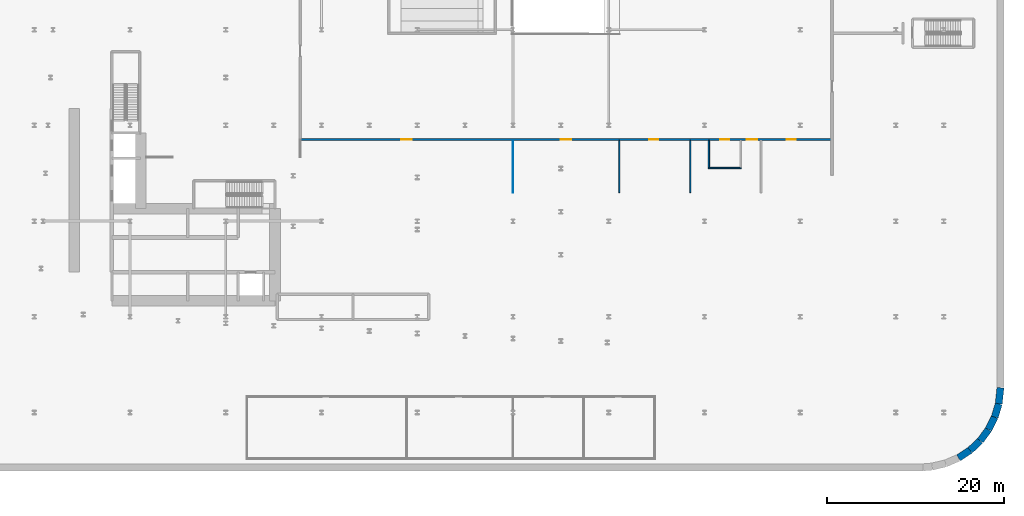
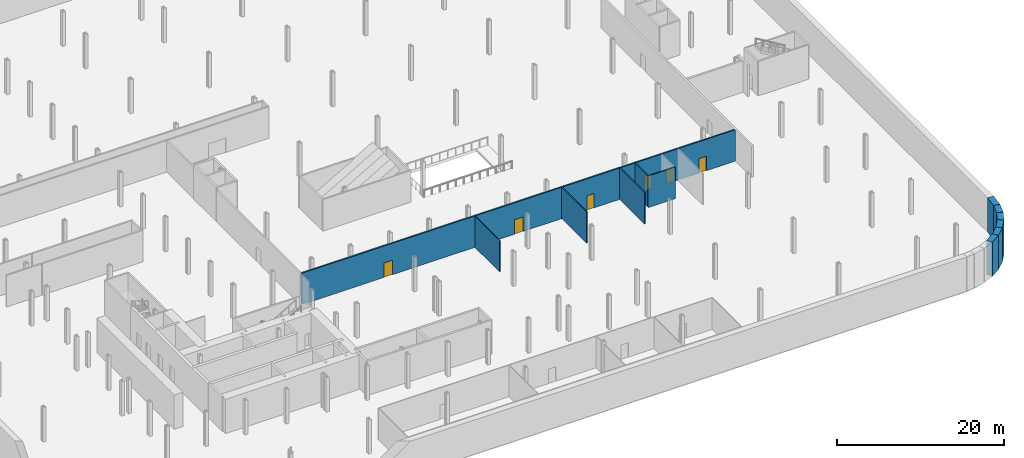
# One storey, part 12 of 19: 12 walls, 6 doors, 6 openings.
"""IFC4 building model written with IfcOpenShell, lengths in metres."""

from ifc_helpers import new_model, si_unit, direction, frame, frame_2d, origin, place, context, subcontext, project, spatial, rectangle, extrude, source, transform, mapped, material, layer, layer_set, type_object, element, fill, save


model = new_model("IFC4")

# Units and contexts
model_context = context("Model", 3, precision=1e-05, world=origin(), true_north=direction((0.0, 1.0)))
body_context = subcontext(model_context, "Body", "Model", "MODEL_VIEW")
ifc_project = project(units=[si_unit("LENGTHUNIT", "METRE"), si_unit("AREAUNIT", "SQUARE_METRE"), si_unit("VOLUMEUNIT", "CUBIC_METRE"), si_unit("PLANEANGLEUNIT", "RADIAN"), si_unit("MASSUNIT", "GRAM", prefix="KILO")], contexts=[model_context])

# Site, building, storey
site_placement = place(None, origin())
site = spatial("IfcSite", under=ifc_project, at=site_placement, CompositionType="ELEMENT")
building_placement = place(site_placement, origin())
building = spatial("IfcBuilding", under=site, at=building_placement, Name="Kheshtan School and Residences Tower", CompositionType="ELEMENT")
storey_placement = place(building_placement, frame((0.0, 0.0, -5.0)))
storey = spatial("IfcBuildingStorey", under=building, at=storey_placement, Name="B1", CompositionType="ELEMENT", Elevation=-5.0)

# Walls
ifc_material_1 = material(Name="Concrete C35/45", Category="concrete")
ifc_layer_1 = layer(ifc_material_1, 0.800048828125)
ifc_layer_set_1 = layer_set([ifc_layer_1], Name="Basement wall 800 Concrete C35/45")
wall_type_1 = type_object("IfcWallType", Name="Basement wall 800 Concrete C35/45", PredefinedType="SOLIDWALL", material=ifc_layer_set_1)
wall_1_placement = place(storey_placement, frame((135.0, 16.0, 0.0), z_axis=(0.0, 0.0, 1.0), x_axis=(-0.105567043429, -0.994412187849, 0.0)))
element("IfcWall", 1, at=wall_1_placement, inside=storey, type_object=wall_type_1, Name="Secant pile wall 21", PredefinedType="SOLIDWALL", context=body_context, shape_type="SweptSolid", body=[
    extrude(rectangle(XDim=1.829345703125, YDim=0.800048828125, at=frame_2d((0.91455078125, 0.0))), origin(), (0.0, 0.0, 1.0), 5.0),
])
wall_2_placement = place(storey_placement, frame((134.806884765625, 14.180908203125, 0.0), z_axis=(0.0, 0.0, 1.0), x_axis=(-0.287147763375, -0.957886299092, 0.0)))
element("IfcWall", 2, at=wall_2_placement, inside=storey, type_object=wall_type_1, Name="Secant pile wall 22", PredefinedType="SOLIDWALL", context=body_context, shape_type="SweptSolid", body=[
    extrude(rectangle(XDim=1.56689453125, YDim=0.800048828125, at=frame_2d((0.783447265625, 0.0))), origin(), (0.0, 0.0, 1.0), 5.0),
])
wall_3_placement = place(storey_placement, frame((134.35693359375, 12.679931640625, 0.0), z_axis=(0.0, 0.0, 1.0), x_axis=(-0.448459314462, -0.893803246399, 0.0)))
element("IfcWall", 3, at=wall_3_placement, inside=storey, type_object=wall_type_1, Name="Secant pile wall 23", PredefinedType="SOLIDWALL", context=body_context, shape_type="SweptSolid", body=[
    extrude(rectangle(XDim=1.5673828125, YDim=0.800048828125, at=frame_2d((0.78369140625, 0.0))), origin(), (0.0, 0.0, 1.0), 5.0),
])
wall_4_placement = place(storey_placement, frame((133.654052734375, 11.279052734375, 0.0), z_axis=(0.0, 0.0, 1.0), x_axis=(-0.597630520512, -0.801771638905, 0.0)))
element("IfcWall", 4, at=wall_4_placement, inside=storey, type_object=wall_type_1, Name="Secant pile wall 24", PredefinedType="SOLIDWALL", context=body_context, shape_type="SweptSolid", body=[
    extrude(rectangle(XDim=1.56787109375, YDim=0.800048828125, at=frame_2d((0.783935546875, 0.0))), origin(), (0.0, 0.0, 1.0), 5.0),
])
wall_5_placement = place(storey_placement, frame((132.717041015625, 10.02197265625, 0.0), z_axis=(0.0, 0.0, 1.0), x_axis=(-0.726995868662, -0.686641833089, 0.0)))
element("IfcWall", 5, at=wall_5_placement, inside=storey, type_object=wall_type_1, Name="Secant pile wall 25", PredefinedType="SOLIDWALL", context=body_context, shape_type="SweptSolid", body=[
    extrude(rectangle(XDim=1.56689453125, YDim=0.800048828125, at=frame_2d((0.783447265625, 0.0))), origin(), (0.0, 0.0, 1.0), 5.0),
])
wall_6_placement = place(storey_placement, frame((131.577880859375, 8.946044921875, 0.0), z_axis=(0.0, 0.0, 1.0), x_axis=(-0.835603348101, -0.549333272834, 0.0)))
element("IfcWall", 6, at=wall_6_placement, inside=storey, type_object=wall_type_1, Name="Secant pile wall 26", PredefinedType="SOLIDWALL", context=body_context, shape_type="SweptSolid", body=[
    extrude(rectangle(XDim=1.567626953125, YDim=0.800048828125, at=frame_2d((0.78369140625, 0.0))), origin(), (0.0, 0.0, 1.0), 5.0),
])

# Wall, openings, doors
ifc_material_2 = material(Name="Gypsum board on steel studs with fire boards", Category="steel")
ifc_layer_2 = layer(ifc_material_2, 0.199951171875)
ifc_layer_set_2 = layer_set([ifc_layer_2], Name="Corridor wall 200")
wall_type_2 = type_object("IfcWallType", Name="Corridor wall 200", PredefinedType="PARTITIONING", material=ifc_layer_set_2)
wall_7_placement = place(storey_placement, frame((56.10009765625, 44.0, 0.0), z_axis=(0.0, 0.0, 1.0), x_axis=(1.0, 0.0, 0.0)))
wall_7 = element("IfcWall", 7, at=wall_7_placement, inside=storey, type_object=wall_type_2, Name="Partition B1-020", PredefinedType="PARTITIONING", context=body_context, shape_type="SweptSolid", body=[
    extrude(rectangle(XDim=59.77490234375, YDim=0.199951171875, at=frame_2d((29.887451171875, 0.0))), origin(), (0.0, 0.0, 1.0), 4.580078125),
])
opening_1_placement = place(wall_7_placement, frame((11.300048828125, 0.0, 0.0)))
opening_1 = element("IfcOpeningElement", 8, at=opening_1_placement, cuts=wall_7, Name="Opening D1-010", PredefinedType="OPENING", context=body_context, shape_type="SweptSolid", body=[
    extrude(rectangle(XDim=1.199951171875, YDim=2.10009765625, at=frame_2d((0.60009765625, 1.050048828125))), frame((0.0, 0.10986328125, 0.0), z_axis=(0.0, -1.0, 0.0), x_axis=(1.0, 0.0, 0.0)), (0.0, 0.0, 1.0), 0.219970703125),
])
opening_2_placement = place(wall_7_placement, frame((29.300048828125, 0.0, 0.0)))
opening_2 = element("IfcOpeningElement", 9, at=opening_2_placement, cuts=wall_7, Name="Opening D1-011", PredefinedType="OPENING", context=body_context, shape_type="SweptSolid", body=[
    extrude(rectangle(XDim=1.199951171875, YDim=2.10009765625, at=frame_2d((0.60009765625, 1.050048828125))), frame((0.0, 0.10986328125, 0.0), z_axis=(0.0, -1.0, 0.0), x_axis=(1.0, 0.0, 0.0)), (0.0, 0.0, 1.0), 0.219970703125),
])
opening_3_placement = place(wall_7_placement, frame((39.300048828125, 0.0, 0.0)))
opening_3 = element("IfcOpeningElement", 10, at=opening_3_placement, cuts=wall_7, Name="Opening D1-012", PredefinedType="OPENING", context=body_context, shape_type="SweptSolid", body=[
    extrude(rectangle(XDim=1.0, YDim=2.10009765625, at=frame_2d((0.5, 1.050048828125))), frame((0.0, 0.10986328125, 0.0), z_axis=(0.0, -1.0, 0.0), x_axis=(1.0, 0.0, 0.0)), (0.0, 0.0, 1.0), 0.219970703125),
])
opening_4_placement = place(wall_7_placement, frame((47.300048828125, 0.0, 0.0)))
opening_4 = element("IfcOpeningElement", 11, at=opening_4_placement, cuts=wall_7, Name="Opening D1-013", PredefinedType="OPENING", context=body_context, shape_type="SweptSolid", body=[
    extrude(rectangle(XDim=1.0, YDim=2.10009765625, at=frame_2d((0.5, 1.050048828125))), frame((0.0, 0.10986328125, 0.0), z_axis=(0.0, -1.0, 0.0), x_axis=(1.0, 0.0, 0.0)), (0.0, 0.0, 1.0), 0.219970703125),
])
opening_5_placement = place(wall_7_placement, frame((50.25, 0.0, 0.0)))
opening_5 = element("IfcOpeningElement", 12, at=opening_5_placement, cuts=wall_7, Name="Opening D1-014", PredefinedType="OPENING", context=body_context, shape_type="SweptSolid", body=[
    extrude(rectangle(XDim=1.199951171875, YDim=2.10009765625, at=frame_2d((0.60009765625, 1.050048828125))), frame((0.0, 0.10986328125, 0.0), z_axis=(0.0, -1.0, 0.0), x_axis=(1.0, 0.0, 0.0)), (0.0, 0.0, 1.0), 0.219970703125),
])
opening_6_placement = place(wall_7_placement, frame((54.800048828125, 0.0, 0.0)))
opening_6 = element("IfcOpeningElement", 13, at=opening_6_placement, cuts=wall_7, Name="Opening D1-015", PredefinedType="OPENING", context=body_context, shape_type="SweptSolid", body=[
    extrude(rectangle(XDim=1.0, YDim=2.10009765625, at=frame_2d((0.5, 1.050048828125))), frame((0.0, 0.10986328125, 0.0), z_axis=(0.0, -1.0, 0.0), x_axis=(1.0, 0.0, 0.0)), (0.0, 0.0, 1.0), 0.219970703125),
])
ifc_material_3 = material(Name="Steel-framed fire-resisting door leaf", Category="steel")
door_type_1 = type_object("IfcDoorType", Name="Fire door FD60 1000 x 2100", OperationType="SINGLE_SWING_LEFT", PredefinedType="DOOR", material=ifc_material_3)
shared_shape_1 = source(origin(), body_context, "Body", "SweptSolid", [
    extrude(rectangle(XDim=1.0, YDim=2.10009765625, at=frame_2d((0.5, 1.050048828125))), frame((0.0, 0.02490234375, 0.0), z_axis=(0.0, -1.0, 0.0), x_axis=(1.0, 0.0, 0.0)), (0.0, 0.0, 1.0), 0.050048828125),
])
door_1_placement = place(opening_3_placement, origin())
door_1 = element("IfcDoor", 14, at=door_1_placement, inside=storey, type_object=door_type_1, Name="Door D1-012", OperationType="SINGLE_SWING_LEFT", OverallHeight=2.10009765625, OverallWidth=1.0, PredefinedType="DOOR", context=body_context, shape_type="MappedRepresentation", body=[
    mapped(shared_shape_1, transform((0.0, 0.0, 0.0), x_axis=(1.0, 0.0, 0.0), y_axis=(0.0, 1.0, 0.0), z_axis=(0.0, 0.0, 1.0), scale=1.0)),
])
fill(opening_3, door_1)
door_2_placement = place(opening_4_placement, origin())
door_2 = element("IfcDoor", 15, at=door_2_placement, inside=storey, type_object=door_type_1, Name="Door D1-013", OperationType="SINGLE_SWING_LEFT", OverallHeight=2.10009765625, OverallWidth=1.0, PredefinedType="DOOR", context=body_context, shape_type="MappedRepresentation", body=[
    mapped(shared_shape_1, transform((0.0, 0.0, 0.0), x_axis=(1.0, 0.0, 0.0), y_axis=(0.0, 1.0, 0.0), z_axis=(0.0, 0.0, 1.0), scale=1.0)),
])
fill(opening_4, door_2)
door_3_placement = place(opening_6_placement, origin())
door_3 = element("IfcDoor", 16, at=door_3_placement, inside=storey, type_object=door_type_1, Name="Door D1-015", OperationType="SINGLE_SWING_RIGHT", OverallHeight=2.10009765625, OverallWidth=1.0, PredefinedType="DOOR", context=body_context, shape_type="MappedRepresentation", body=[
    mapped(shared_shape_1, transform((0.0, 0.0, 0.0), x_axis=(1.0, 0.0, 0.0), y_axis=(0.0, 1.0, 0.0), z_axis=(0.0, 0.0, 1.0), scale=1.0)),
])
fill(opening_6, door_3)
door_type_2 = type_object("IfcDoorType", Name="Fire door FD60 1200 x 2100", OperationType="SINGLE_SWING_LEFT", PredefinedType="DOOR", material=ifc_material_3)
shared_shape_2 = source(origin(), body_context, "Body", "SweptSolid", [
    extrude(rectangle(XDim=1.199951171875, YDim=2.10009765625, at=frame_2d((0.60009765625, 1.050048828125))), frame((0.0, 0.02490234375, 0.0), z_axis=(0.0, -1.0, 0.0), x_axis=(1.0, 0.0, 0.0)), (0.0, 0.0, 1.0), 0.050048828125),
])
door_4_placement = place(opening_1_placement, origin())
door_4 = element("IfcDoor", 17, at=door_4_placement, inside=storey, type_object=door_type_2, Name="Door D1-010", OperationType="SINGLE_SWING_LEFT", OverallHeight=2.10009765625, OverallWidth=1.199951171875, PredefinedType="DOOR", context=body_context, shape_type="MappedRepresentation", body=[
    mapped(shared_shape_2, transform((0.0, 0.0, 0.0), x_axis=(1.0, 0.0, 0.0), y_axis=(0.0, 1.0, 0.0), z_axis=(0.0, 0.0, 1.0), scale=1.0)),
])
fill(opening_1, door_4)
door_5_placement = place(opening_2_placement, origin())
door_5 = element("IfcDoor", 18, at=door_5_placement, inside=storey, type_object=door_type_2, Name="Door D1-011", OperationType="SINGLE_SWING_LEFT", OverallHeight=2.10009765625, OverallWidth=1.199951171875, PredefinedType="DOOR", context=body_context, shape_type="MappedRepresentation", body=[
    mapped(shared_shape_2, transform((0.0, 0.0, 0.0), x_axis=(1.0, 0.0, 0.0), y_axis=(0.0, 1.0, 0.0), z_axis=(0.0, 0.0, 1.0), scale=1.0)),
])
fill(opening_2, door_5)
door_6_placement = place(opening_5_placement, origin())
door_6 = element("IfcDoor", 19, at=door_6_placement, inside=storey, type_object=door_type_2, Name="Door D1-014", OperationType="SINGLE_SWING_LEFT", OverallHeight=2.10009765625, OverallWidth=1.199951171875, PredefinedType="DOOR", context=body_context, shape_type="MappedRepresentation", body=[
    mapped(shared_shape_2, transform((0.0, 0.0, 0.0), x_axis=(1.0, 0.0, 0.0), y_axis=(0.0, 1.0, 0.0), z_axis=(0.0, 0.0, 1.0), scale=1.0)),
])
fill(opening_5, door_6)

# Walls
ifc_material_4 = material(Name="Gypsum board on steel studs", Category="steel")
ifc_layer_3 = layer(ifc_material_4, 0.10009765625)
ifc_layer_set_3 = layer_set([ifc_layer_3], Name="Gypsum partition 100")
wall_type_3 = type_object("IfcWallType", Name="Gypsum partition 100", PredefinedType="PARTITIONING", material=ifc_layer_set_3)
wall_8_placement = place(storey_placement, frame((80.0, 38.0, 0.0), z_axis=(0.0, 0.0, 1.0), x_axis=(0.0, 1.0, 0.0)))
element("IfcWall", 20, at=wall_8_placement, inside=storey, type_object=wall_type_3, Name="Partition B1-029", PredefinedType="PARTITIONING", context=body_context, shape_type="SweptSolid", body=[
    extrude(rectangle(XDim=5.89990234375, YDim=0.10009765625, at=frame_2d((2.949951171875, 0.0))), origin(), (0.0, 0.0, 1.0), 4.580078125),
])
ifc_material_5 = material(Name="Moisture-resistant gypsum board on steel studs", Category="steel")
ifc_layer_4 = layer(ifc_material_5, 0.14990234375)
ifc_layer_set_4 = layer_set([ifc_layer_4], Name="Wet-room partition 150")
wall_type_4 = type_object("IfcWallType", Name="Wet-room partition 150", PredefinedType="PARTITIONING", material=ifc_layer_set_4)
for number, where, z_axis, x_axis, name in (
    (21, (92.0, 38.0, 0.0), (0.0, 0.0, 1.0), (0.0, 1.0, 0.0), "Partition B1-031"),
    (22, (100.0, 38.0, 0.0), (0.0, 0.0, 1.0), (0.0, 1.0, 0.0), "Partition B1-033"),
):
    element("IfcWall", number, at=place(storey_placement, frame(where, z_axis=z_axis, x_axis=x_axis)), inside=storey, type_object=wall_type_4, Name=name, PredefinedType="PARTITIONING", context=body_context, shape_type="SweptSolid", body=[
        extrude(rectangle(XDim=5.89990234375, YDim=0.14990234375, at=frame_2d((2.949951171875, 0.0))), origin(), (0.0, 0.0, 1.0), 4.580078125),
    ])
wall_9_placement = place(storey_placement, frame((102.02490234375, 40.800048828125, 0.0), z_axis=(0.0, 0.0, 1.0), x_axis=(1.0, 0.0, 0.0)))
element("IfcWall", 23, at=wall_9_placement, inside=storey, type_object=wall_type_4, Name="Partition B1-034", PredefinedType="PARTITIONING", context=body_context, shape_type="SweptSolid", body=[
    extrude(rectangle(XDim=3.75, YDim=0.14990234375, at=frame_2d((1.875, 0.0))), origin(), (0.0, 0.0, 1.0), 4.580078125),
])
wall_10_placement = place(storey_placement, frame((102.10009765625, 40.875, 0.0), z_axis=(0.0, 0.0, 1.0), x_axis=(0.0, 1.0, 0.0)))
element("IfcWall", 24, at=wall_10_placement, inside=storey, type_object=wall_type_4, Name="Partition B1-035", PredefinedType="PARTITIONING", context=body_context, shape_type="SweptSolid", body=[
    extrude(rectangle(XDim=3.02490234375, YDim=0.14990234375, at=frame_2d((1.512451171875, 0.0))), origin(), (0.0, 0.0, 1.0), 4.580078125),
])

save(model, "model.ifc")
